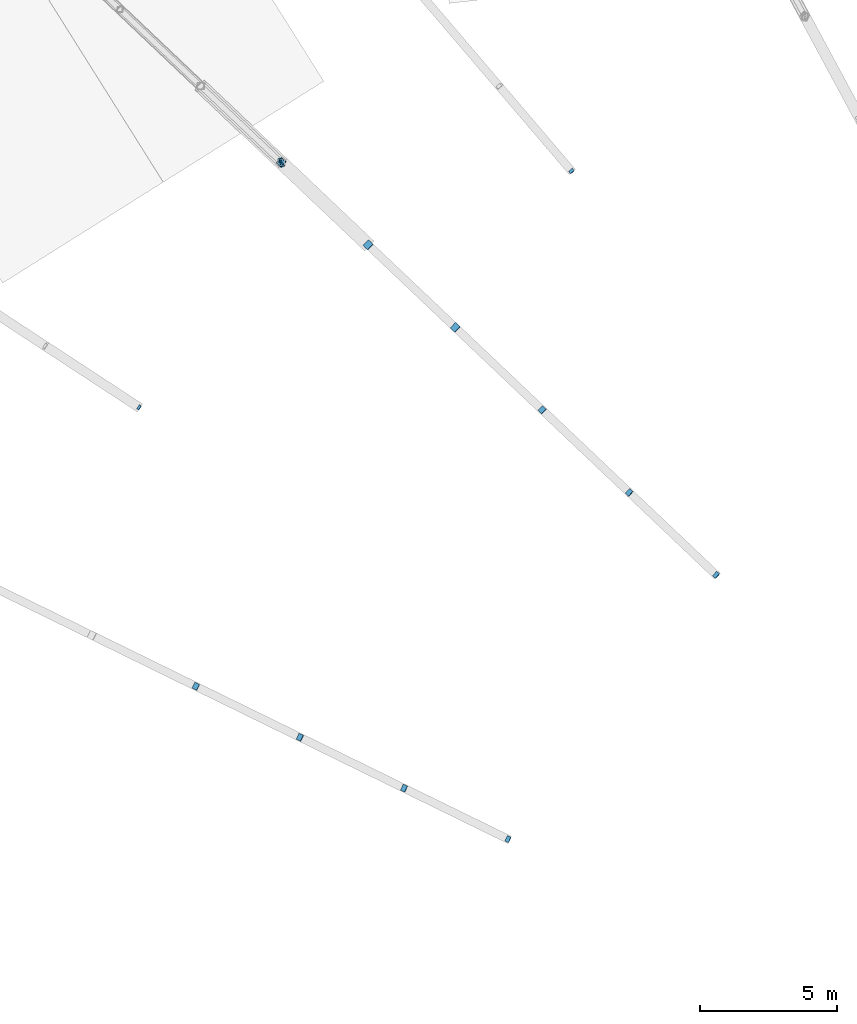
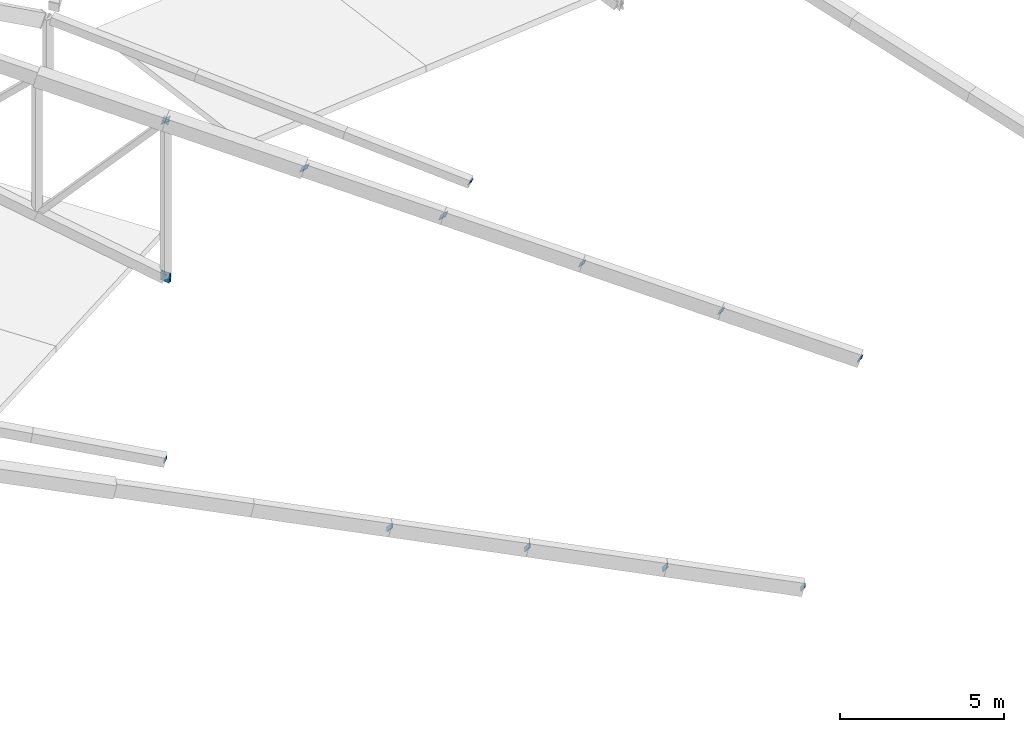
# One storey, part 162 of 188: 15 discrete accessories.
"""IFC4 building model written with IfcOpenShell, lengths in metres."""

import ifcopenshell
import ifcopenshell.guid

model = None  # the IFC model being written
_history = None  # IfcOwnerHistory: only IFC2X3 demands one
_inside = {}  # id of a spatial element -> (the spatial element, [elements in it])
_under = {}  # id of a project, library or spatial element -> (it, [spatial elements below it])
_declared = {}  # id of a project -> (the project, [libraries it declares])
_typed = {}  # id of a type object -> (the type object, [elements of that type])
_made_of = {}  # id of a material, layer set ... -> (it, [elements and type objects made of it])


def new_model(schema):
    """Start an empty IFC model of exactly this schema.

    Asked for "IFC4X3", IfcOpenShell would pick the latest addendum, in which some entities
    have other attributes; the version numbers below select the first issue.
    IFC2X3 requires an IfcOwnerHistory on every rooted entity: one is made here for all.
    """
    global model, _history
    if schema == "IFC4X3":
        model = ifcopenshell.file(schema_version=(4, 3, 0, 0))
    else:
        model = ifcopenshell.file(schema=schema)
    _inside.clear()
    _under.clear()
    _declared.clear()
    _typed.clear()
    _made_of.clear()
    _history = None
    if model.schema == "IFC2X3":
        org = make("IfcOrganization", Name="unknown")
        user = make(
            "IfcPersonAndOrganization",
            ThePerson=make("IfcPerson", FamilyName="unknown"),
            TheOrganization=org,
        )
        app = make(
            "IfcApplication",
            ApplicationDeveloper=org,
            Version="unknown",
            ApplicationFullName="unknown",
            ApplicationIdentifier="unknown",
        )
        _history = make(
            "IfcOwnerHistory",
            OwningUser=user,
            OwningApplication=app,
            ChangeAction="ADDED",
            CreationDate=0,
        )
    return model


def make(cls, **values):
    """One entity of the class cls with the attributes given. An attribute that is None is left unset."""
    return model.create_entity(
        cls, **{name: value for name, value in values.items() if value is not None}
    )


def rooted(cls, **values):
    """An entity with a GlobalId (a new one), such as an element, a storey or a relation."""
    return make(cls, GlobalId=ifcopenshell.guid.new(), OwnerHistory=_history, **values)


def si_unit(unit_type, name, prefix=None):
    """IfcSIUnit, for example si_unit("LENGTHUNIT", "METRE", prefix="MILLI")."""
    return make("IfcSIUnit", UnitType=unit_type, Prefix=prefix, Name=name)


def assignment(units):
    """IfcUnitAssignment: the units of a project."""
    return None if units is None else make("IfcUnitAssignment", Units=units)


def point(xyz):
    """IfcCartesianPoint."""
    return None if xyz is None else make("IfcCartesianPoint", Coordinates=xyz)


def direction(xyz):
    """IfcDirection."""
    return None if xyz is None else make("IfcDirection", DirectionRatios=xyz)


def frame(location, z_axis=None, x_axis=None):
    """IfcAxis2Placement3D, a coordinate frame: its origin and axes. An axis left out is left unset."""
    return make(
        "IfcAxis2Placement3D",
        Location=point(location),
        Axis=direction(z_axis),
        RefDirection=direction(x_axis),
    )


def frame_2d(location, x_axis=None):
    """IfcAxis2Placement2D, a coordinate frame in the plane: its origin and x axis."""
    return make(
        "IfcAxis2Placement2D", Location=point(location), RefDirection=direction(x_axis)
    )


def origin():
    """The frame at (0, 0, 0) with its axes left unset."""
    return frame((0.0, 0.0, 0.0))


def origin_2d():
    """The frame at (0, 0) in the plane with its x axis left unset."""
    return frame_2d((0.0, 0.0))


def place(relative_to, where):
    """IfcLocalPlacement: puts the frame where relative to a parent placement (None: the world)."""
    return make(
        "IfcLocalPlacement", PlacementRelTo=relative_to, RelativePlacement=where
    )


def context(
    kind, dimensions, precision=None, world=None, true_north=None, identifier=None
):
    """IfcGeometricRepresentationContext, for example the 3D "Model" context."""
    return make(
        "IfcGeometricRepresentationContext",
        ContextIdentifier=identifier,
        ContextType=kind,
        CoordinateSpaceDimension=dimensions,
        Precision=precision,
        WorldCoordinateSystem=world,
        TrueNorth=true_north,
    )


def subcontext(parent, identifier, kind, view, scale=None):
    """IfcGeometricRepresentationSubContext, for example "Body" below "Model"."""
    return make(
        "IfcGeometricRepresentationSubContext",
        ContextIdentifier=identifier,
        ContextType=kind,
        ParentContext=parent,
        TargetScale=scale,
        TargetView=view,
    )


def project(units=None, contexts=None):
    """IfcProject with its units and contexts."""
    return rooted(
        "IfcProject",
        Name="project",
        RepresentationContexts=contexts,
        UnitsInContext=assignment(units),
    )


def spatial(cls, under=None, at=None, **own):
    """A site, building, storey or space (cls), placed at a placement, below another one or the project."""
    s = rooted(cls, ObjectPlacement=at, **own)
    if under is not None:
        _under.setdefault(under.id(), (under, []))[1].append(s)
    return s


def profile(cls, at=None, kind="AREA", **sizes):
    """A parametric profile (cls). Its sizes go by their IFC names, for example OverallWidth=200.0."""
    return make(cls, ProfileType=kind, Position=at, **sizes)


def rectangle(**sizes):
    """IfcRectangleProfileDef."""
    return profile("IfcRectangleProfileDef", **sizes)


def extrude(swept, where, along, depth):
    """IfcExtrudedAreaSolid: the profile swept, set in the frame where, extruded along a direction by depth."""
    return make(
        "IfcExtrudedAreaSolid",
        SweptArea=swept,
        Position=where,
        ExtrudedDirection=direction(along),
        Depth=depth,
    )


def shape(context_of_items, identifier, shape_type, items):
    """IfcShapeRepresentation: the items that make up one representation, for example the "Body"."""
    return make(
        "IfcShapeRepresentation",
        ContextOfItems=context_of_items,
        RepresentationIdentifier=identifier,
        RepresentationType=shape_type,
        Items=items,
    )


def material(Name=None, Category=None):
    """IfcMaterial."""
    return make("IfcMaterial", Name=Name, Category=Category)


def material_profile(
    of_material, cross_section, Name=None, Category=None, Priority=None
):
    """IfcMaterialProfile: a cross section and its material."""
    return make(
        "IfcMaterialProfile",
        Name=Name,
        Material=of_material,
        Profile=cross_section,
        Priority=Priority,
        Category=Category,
    )


def profile_set(profiles, Name=None, composite=None):
    """IfcMaterialProfileSet."""
    return make(
        "IfcMaterialProfileSet",
        Name=Name,
        MaterialProfiles=profiles,
        CompositeProfile=composite,
    )


def made_of(thing, what):
    """Note that an element or type object is made of a material, layer set ...; save() writes the relation."""
    if what is not None:
        _made_of.setdefault(what.id(), (what, []))[1].append(thing)
    return thing


def type_object(cls, material=None, **own):
    """A type object (cls), such as IfcWallType, which elements share."""
    return made_of(rooted(cls, **own), material)


def element(
    cls,
    number,
    at=None,
    inside=None,
    cuts=None,
    type_object=None,
    material=None,
    context=None,
    identifier="Body",
    shape_type=None,
    held_by="IfcProductDefinitionShape",
    body=None,
    shapes=None,
    **own,
):
    """One element of the class cls, such as IfcWall. Its Tag is "e" and its number.

    at: its placement. inside: the storey or other place that contains it. cuts: it is an
    opening in that element (IfcRelVoidsElement). A single representation is given by context,
    identifier, shape_type and body (its items); several are given by shapes. held_by: the class
    of the entity that holds the representations. save() writes the other relations.
    """
    e = rooted(cls, Tag="e%d" % number, ObjectPlacement=at, **own)
    if body is not None:
        shapes = [shape(context, identifier, shape_type, body)]
    if shapes is not None:
        e.Representation = make(held_by, Representations=shapes)
    if inside is not None:
        _inside.setdefault(inside.id(), (inside, []))[1].append(e)
    if cuts is not None:
        rooted(
            "IfcRelVoidsElement", RelatingBuildingElement=cuts, RelatedOpeningElement=e
        )
    if type_object is not None:
        _typed.setdefault(type_object.id(), (type_object, []))[1].append(e)
    return made_of(e, material)


def aggregate(whole, parts):
    """IfcRelAggregates: a whole, such as a stair, and the parts it consists of."""
    return rooted("IfcRelAggregates", RelatingObject=whole, RelatedObjects=parts)


def save(model, path):
    """Write the relations noted so far, then the file.

    IfcRelAggregates (storeys below a building ...), IfcRelContainedInSpatialStructure (elements
    in a storey), IfcRelDefinesByType, IfcRelAssociatesMaterial and IfcRelDeclares: one each for
    every whole, place, type object, material and project.
    """
    for whole, parts in _under.values():
        aggregate(whole, parts)
    for where, things in _inside.values():
        rooted(
            "IfcRelContainedInSpatialStructure",
            RelatedElements=things,
            RelatingStructure=where,
        )
    for kind, things in _typed.values():
        rooted("IfcRelDefinesByType", RelatedObjects=things, RelatingType=kind)
    for what, things in _made_of.values():
        rooted("IfcRelAssociatesMaterial", RelatedObjects=things, RelatingMaterial=what)
    for by, libraries in _declared.values():
        rooted("IfcRelDeclares", RelatingContext=by, RelatedDefinitions=libraries)
    model.write(path)


model = new_model("IFC4")

# Units and contexts
model_context = context("Model", 3, precision=1e-05, world=origin(), true_north=direction((0.0, 1.0)))
body_context = subcontext(model_context, "Body", "Model", "MODEL_VIEW")
ifc_project = project(units=[si_unit("LENGTHUNIT", "METRE"), si_unit("AREAUNIT", "SQUARE_METRE"), si_unit("VOLUMEUNIT", "CUBIC_METRE"), si_unit("PLANEANGLEUNIT", "RADIAN"), si_unit("MASSUNIT", "GRAM", prefix="KILO")], contexts=[model_context])

# Site, building, storey
site_placement = place(None, origin())
site = spatial("IfcSite", under=ifc_project, at=site_placement, CompositionType="ELEMENT")
building_placement = place(site_placement, origin())
building = spatial("IfcBuilding", under=site, at=building_placement, Name="Meseta Stadium", CompositionType="ELEMENT")
storey_placement = place(building_placement, frame((0.0, 0.0, 30.0)))
storey = spatial("IfcBuildingStorey", under=building, at=storey_placement, Name="ROOF", CompositionType="ELEMENT", Elevation=30.0)

# Discrete accessories
ifc_material_1 = material(Name="Steel S355", Category="steel")
ifc_material_profile_1 = material_profile(ifc_material_1, rectangle(XDim=0.179931640625, YDim=0.179931640625, at=origin_2d()), Name="PL 180x180")
ifc_profile_set_1 = profile_set([ifc_material_profile_1], Name="Steel S355")
discrete_accessory_type_1 = type_object("IfcDiscreteAccessoryType", Name="End plate 180x180x20", PredefinedType="ANCHORPLATE", material=ifc_profile_set_1)
for number, where, z_axis, x_axis, name in (
    (1, (-53.164794921875, 85.452392578125, 0.67333984375), (-0.514457157149, 0.600200016674, 0.612448996606), (-0.759256602365, -0.650791373456, 0.0), "End plate of ROOF TRUSS RT-23 diagonal"),
    (2, (-68.897216796875, 76.854736328125, 1.0419921875), (-0.745790378384, 0.489042871072, 0.452364655741), (-0.54835696222, -0.836244367386, 0.0), "End plate of ROOF TRUSS RT-25 diagonal"),
):
    element("IfcDiscreteAccessory", number, at=place(storey_placement, frame(where, z_axis=z_axis, x_axis=x_axis)), inside=storey, type_object=discrete_accessory_type_1, Name=name, PredefinedType="ANCHORPLATE", context=body_context, shape_type="SweptSolid", body=[
        extrude(rectangle(XDim=0.179931640625, YDim=0.179931640625, at=origin_2d()), origin(), (0.0, 0.0, 1.0), 0.02001953125),
    ])
ifc_material_2 = material(Name="Steel S355", Category="steel")
ifc_material_profile_2 = material_profile(ifc_material_2, rectangle(XDim=0.219970703125, YDim=0.219970703125, at=origin_2d()), Name="PL 220x220")
ifc_profile_set_2 = profile_set([ifc_material_profile_2], Name="Steel S355")
discrete_accessory_type_2 = type_object("IfcDiscreteAccessoryType", Name="End plate 220x220x20", PredefinedType="ANCHORPLATE", material=ifc_profile_set_2)
for number, where, z_axis, x_axis, name in (
    (3, (-47.903076171875, 70.75927734375, 1.152099609375), (-0.563284074751, 0.526548156832, 0.636755910588), (-0.682883878065, -0.730526939325, 0.0), "End plate of ROOF TRUSS RT-24 diagonal"),
    (4, (-55.471435546875, 61.14453125, 1.10791015625), (-0.694450959018, 0.34113380443, 0.633534208227), (-0.440903879653, -0.897554326437, 0.0), "End plate of ROOF TRUSS RT-26 diagonal"),
):
    element("IfcDiscreteAccessory", number, at=place(storey_placement, frame(where, z_axis=z_axis, x_axis=x_axis)), inside=storey, type_object=discrete_accessory_type_2, Name=name, PredefinedType="ANCHORPLATE", context=body_context, shape_type="SweptSolid", body=[
        extrude(rectangle(XDim=0.219970703125, YDim=0.219970703125, at=origin_2d()), origin(), (0.0, 0.0, 1.0), 0.02001953125),
    ])
ifc_material_3 = material(Name="Steel S355", Category="steel")
ifc_material_profile_3 = material_profile(ifc_material_3, rectangle(XDim=0.239990234375, YDim=0.239990234375, at=origin_2d()), Name="PL 240x240")
ifc_profile_set_3 = profile_set([ifc_material_profile_3], Name="Steel S355")
discrete_accessory_type_3 = type_object("IfcDiscreteAccessoryType", Name="End plate 240x240x20", PredefinedType="ANCHORPLATE", material=ifc_profile_set_3)
for number, where, z_axis, x_axis, name in (
    (5, (-51.068603515625, 73.761474609375, 2.216552734375), (-0.526666628688, 0.502170506424, 0.685891423408), (-0.690075333573, -0.723737544967, 0.0), "End plate of ROOF TRUSS RT-24 diagonal"),
    (6, (-54.234375, 76.763916015625, 3.281005859375), (-0.490732904812, 0.466196259571, 0.736099357218), (-0.688749461915, -0.724999433594, 0.0), "End plate of ROOF TRUSS RT-24 diagonal"),
):
    element("IfcDiscreteAccessory", number, at=place(storey_placement, frame(where, z_axis=z_axis, x_axis=x_axis)), inside=storey, type_object=discrete_accessory_type_3, Name=name, PredefinedType="ANCHORPLATE", context=body_context, shape_type="SweptSolid", body=[
        extrude(rectangle(XDim=0.239990234375, YDim=0.239990234375, at=origin_2d()), origin(), (0.0, 0.0, 1.0), 0.02001953125),
    ])
discrete_accessory_1_placement = place(storey_placement, frame((-63.720947265625, 85.76123046875, 6.489013671875), z_axis=(-0.507647865162, 0.483474157297, -0.713124382013), x_axis=(-0.689655172414, -0.724137931034, 0.0)))
element("IfcDiscreteAccessory", 7, at=discrete_accessory_1_placement, inside=storey, type_object=discrete_accessory_type_3, Name="End plate of ROOF TRUSS RT-24 diagonal", PredefinedType="ANCHORPLATE", context=body_context, shape_type="SweptSolid", body=[
    extrude(rectangle(XDim=0.239990234375, YDim=0.239990234375, at=origin_2d()), origin(), (0.0, 0.0, 1.0), 0.020263671875),
])
for number, where, z_axis, x_axis, name in (
    (8, (-59.259033203125, 62.999267578125, 2.051025390625), (-0.658340796277, 0.316978901911, 0.682723788732), (-0.433815618773, -0.901001669759, 0.0), "End plate of ROOF TRUSS RT-26 diagonal"),
    (9, (-63.046875, 64.853759765625, 2.994140625), (-0.61194422456, 0.293733227789, 0.734333069472), (-0.432731067585, -0.901523057468, 0.0), "End plate of ROOF TRUSS RT-26 diagonal"),
    (10, (-66.834716796875, 66.708251953125, 3.937255859375), (-0.573896669971, 0.280843051262, 0.76926574911), (-0.439552863981, -0.898216722048, 0.0), "End plate of ROOF TRUSS RT-26 diagonal"),
):
    element("IfcDiscreteAccessory", number, at=place(storey_placement, frame(where, z_axis=z_axis, x_axis=x_axis)), inside=storey, type_object=discrete_accessory_type_3, Name=name, PredefinedType="ANCHORPLATE", context=body_context, shape_type="SweptSolid", body=[
        extrude(rectangle(XDim=0.239990234375, YDim=0.239990234375, at=origin_2d()), origin(), (0.0, 0.0, 1.0), 0.02001953125),
    ])
ifc_material_4 = material(Name="Steel S355", Category="steel")
ifc_material_profile_4 = material_profile(ifc_material_4, rectangle(XDim=0.2900390625, YDim=0.2900390625, at=origin_2d()), Name="PL 290x290")
ifc_profile_set_4 = profile_set([ifc_material_profile_4], Name="Steel S355")
discrete_accessory_type_4 = type_object("IfcDiscreteAccessoryType", Name="End plate 290x290x20", PredefinedType="ANCHORPLATE", material=ifc_profile_set_4)
for number, where, z_axis, x_axis, name in (
    (11, (-57.39990234375, 79.766357421875, 4.345703125), (-0.468315665525, 0.443667472602, 0.764093980593), (-0.687744647911, -0.725952683906, 0.0), "End plate of ROOF TRUSS RT-24 diagonal"),
    (12, (-60.565673828125, 82.7685546875, 5.41015625), (-0.430624524473, 0.418320966631, 0.799731259736), (-0.696785684263, -0.717279380859, 0.0), "End plate of ROOF TRUSS RT-24 diagonal"),
):
    element("IfcDiscreteAccessory", number, at=place(storey_placement, frame(where, z_axis=z_axis, x_axis=x_axis)), inside=storey, type_object=discrete_accessory_type_4, Name=name, PredefinedType="ANCHORPLATE", context=body_context, shape_type="SweptSolid", body=[
        extrude(rectangle(XDim=0.2900390625, YDim=0.2900390625, at=origin_2d()), origin(), (0.0, 0.0, 1.0), 0.019775390625),
    ])
discrete_accessory_2_placement = place(storey_placement, frame((-63.731201171875, 85.77099609375, 6.474609375), z_axis=(-0.416340403077, 0.391849791131, 0.820435500181), x_axis=(-0.685364699005, -0.728199992693, 0.0)))
element("IfcDiscreteAccessory", 13, at=discrete_accessory_2_placement, inside=storey, type_object=discrete_accessory_type_4, Name="End plate of ROOF TRUSS RT-24 diagonal", PredefinedType="ANCHORPLATE", context=body_context, shape_type="SweptSolid", body=[
    extrude(rectangle(XDim=0.2900390625, YDim=0.2900390625, at=origin_2d()), origin(), (0.0, 0.0, 1.0), 0.02001953125),
])
ifc_material_5 = material(Name="Steel S355", Category="steel")
ifc_material_profile_5 = material_profile(ifc_material_5, rectangle(XDim=0.340087890625, YDim=0.340087890625, at=origin_2d()), Name="PL 340x340")
ifc_profile_set_5 = profile_set([ifc_material_profile_5], Name="Steel S355")
discrete_accessory_type_5 = type_object("IfcDiscreteAccessoryType", Name="End plate 340x340x20", PredefinedType="ANCHORPLATE", material=ifc_profile_set_5)
for number, where, z_axis, x_axis, name in (
    (14, (-63.731201171875, 85.77099609375, 0.657470703125), (-0.930294580868, -0.330499390571, 0.159129336201), (0.334765052353, -0.942301628845, 0.0), "End plate of ROOF PIVOT STRUT RT-23/24"),
    (15, (-63.71533203125, 85.783203125, 0.65771484375), (-0.792565064524, -0.60966543425, -0.012193308685), (0.60971076085, -0.792623989105, 0.0), "End plate of ROOF PIVOT STRUT RT-24/25"),
):
    element("IfcDiscreteAccessory", number, at=place(storey_placement, frame(where, z_axis=z_axis, x_axis=x_axis)), inside=storey, type_object=discrete_accessory_type_5, Name=name, PredefinedType="ANCHORPLATE", context=body_context, shape_type="SweptSolid", body=[
        extrude(rectangle(XDim=0.340087890625, YDim=0.340087890625, at=origin_2d()), origin(), (0.0, 0.0, 1.0), 0.02001953125),
    ])

save(model, "model.ifc")
